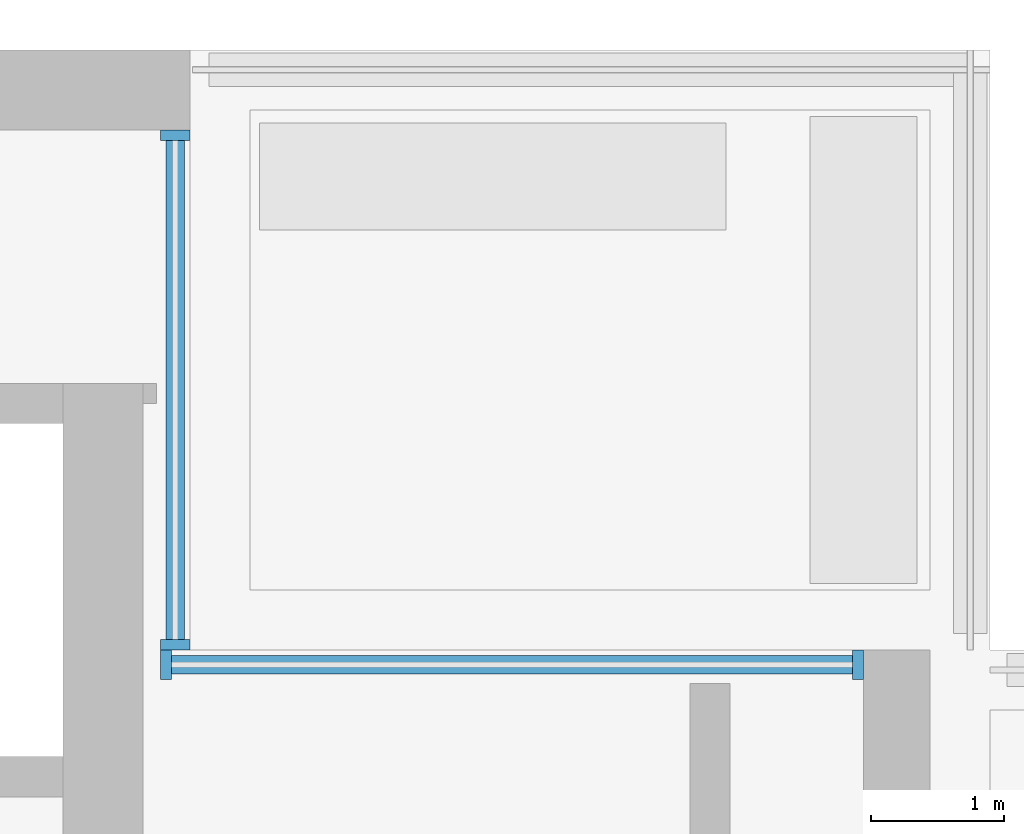
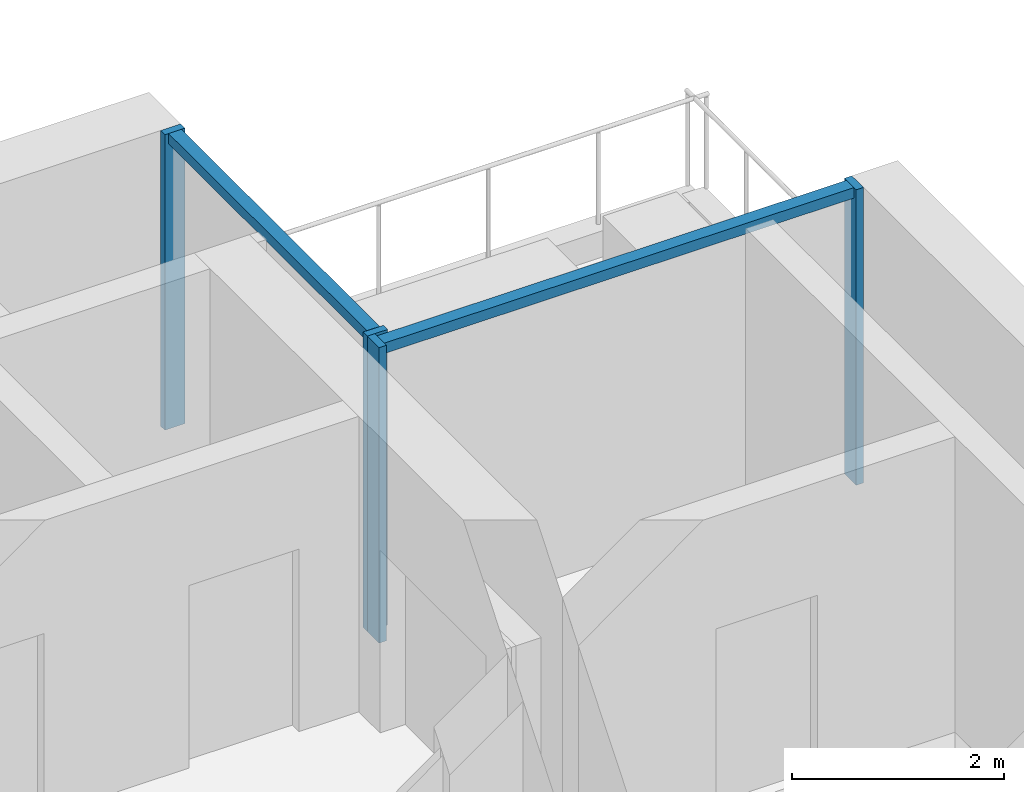
# One storey, part 5 of 16: 6 members, 2 elements without a shape of their own.
"""IFC4 building model written with IfcOpenShell, lengths in metres."""

import ifcopenshell
import ifcopenshell.guid

model = None  # the IFC model being written
_history = None  # IfcOwnerHistory: only IFC2X3 demands one
_inside = {}  # id of a spatial element -> (the spatial element, [elements in it])
_under = {}  # id of a project, library or spatial element -> (it, [spatial elements below it])
_declared = {}  # id of a project -> (the project, [libraries it declares])
_typed = {}  # id of a type object -> (the type object, [elements of that type])
_made_of = {}  # id of a material, layer set ... -> (it, [elements and type objects made of it])


def new_model(schema):
    """Start an empty IFC model of exactly this schema.

    Asked for "IFC4X3", IfcOpenShell would pick the latest addendum, in which some entities
    have other attributes; the version numbers below select the first issue.
    IFC2X3 requires an IfcOwnerHistory on every rooted entity: one is made here for all.
    """
    global model, _history
    if schema == "IFC4X3":
        model = ifcopenshell.file(schema_version=(4, 3, 0, 0))
    else:
        model = ifcopenshell.file(schema=schema)
    _inside.clear()
    _under.clear()
    _declared.clear()
    _typed.clear()
    _made_of.clear()
    _history = None
    if model.schema == "IFC2X3":
        org = make("IfcOrganization", Name="unknown")
        user = make(
            "IfcPersonAndOrganization",
            ThePerson=make("IfcPerson", FamilyName="unknown"),
            TheOrganization=org,
        )
        app = make(
            "IfcApplication",
            ApplicationDeveloper=org,
            Version="unknown",
            ApplicationFullName="unknown",
            ApplicationIdentifier="unknown",
        )
        _history = make(
            "IfcOwnerHistory",
            OwningUser=user,
            OwningApplication=app,
            ChangeAction="ADDED",
            CreationDate=0,
        )
    return model


def make(cls, **values):
    """One entity of the class cls with the attributes given. An attribute that is None is left unset."""
    return model.create_entity(
        cls, **{name: value for name, value in values.items() if value is not None}
    )


def rooted(cls, **values):
    """An entity with a GlobalId (a new one), such as an element, a storey or a relation."""
    return make(cls, GlobalId=ifcopenshell.guid.new(), OwnerHistory=_history, **values)


def si_unit(unit_type, name, prefix=None):
    """IfcSIUnit, for example si_unit("LENGTHUNIT", "METRE", prefix="MILLI")."""
    return make("IfcSIUnit", UnitType=unit_type, Prefix=prefix, Name=name)


def assignment(units):
    """IfcUnitAssignment: the units of a project."""
    return None if units is None else make("IfcUnitAssignment", Units=units)


def point(xyz):
    """IfcCartesianPoint."""
    return None if xyz is None else make("IfcCartesianPoint", Coordinates=xyz)


def direction(xyz):
    """IfcDirection."""
    return None if xyz is None else make("IfcDirection", DirectionRatios=xyz)


def frame(location, z_axis=None, x_axis=None):
    """IfcAxis2Placement3D, a coordinate frame: its origin and axes. An axis left out is left unset."""
    return make(
        "IfcAxis2Placement3D",
        Location=point(location),
        Axis=direction(z_axis),
        RefDirection=direction(x_axis),
    )


def frame_2d(location, x_axis=None):
    """IfcAxis2Placement2D, a coordinate frame in the plane: its origin and x axis."""
    return make(
        "IfcAxis2Placement2D", Location=point(location), RefDirection=direction(x_axis)
    )


def origin():
    """The frame at (0, 0, 0) with its axes left unset."""
    return frame((0.0, 0.0, 0.0))


def origin_2d():
    """The frame at (0, 0) in the plane with its x axis left unset."""
    return frame_2d((0.0, 0.0))


def place(relative_to, where):
    """IfcLocalPlacement: puts the frame where relative to a parent placement (None: the world)."""
    return make(
        "IfcLocalPlacement", PlacementRelTo=relative_to, RelativePlacement=where
    )


def context(
    kind, dimensions, precision=None, world=None, true_north=None, identifier=None
):
    """IfcGeometricRepresentationContext, for example the 3D "Model" context."""
    return make(
        "IfcGeometricRepresentationContext",
        ContextIdentifier=identifier,
        ContextType=kind,
        CoordinateSpaceDimension=dimensions,
        Precision=precision,
        WorldCoordinateSystem=world,
        TrueNorth=true_north,
    )


def subcontext(parent, identifier, kind, view, scale=None):
    """IfcGeometricRepresentationSubContext, for example "Body" below "Model"."""
    return make(
        "IfcGeometricRepresentationSubContext",
        ContextIdentifier=identifier,
        ContextType=kind,
        ParentContext=parent,
        TargetScale=scale,
        TargetView=view,
    )


def project(units=None, contexts=None):
    """IfcProject with its units and contexts."""
    return rooted(
        "IfcProject",
        Name="project",
        RepresentationContexts=contexts,
        UnitsInContext=assignment(units),
    )


def spatial(cls, under=None, at=None, **own):
    """A site, building, storey or space (cls), placed at a placement, below another one or the project."""
    s = rooted(cls, ObjectPlacement=at, **own)
    if under is not None:
        _under.setdefault(under.id(), (under, []))[1].append(s)
    return s


def profile(cls, at=None, kind="AREA", **sizes):
    """A parametric profile (cls). Its sizes go by their IFC names, for example OverallWidth=200.0."""
    return make(cls, ProfileType=kind, Position=at, **sizes)


def rectangle(**sizes):
    """IfcRectangleProfileDef."""
    return profile("IfcRectangleProfileDef", **sizes)


def extrude(swept, where, along, depth):
    """IfcExtrudedAreaSolid: the profile swept, set in the frame where, extruded along a direction by depth."""
    return make(
        "IfcExtrudedAreaSolid",
        SweptArea=swept,
        Position=where,
        ExtrudedDirection=direction(along),
        Depth=depth,
    )


def shape(context_of_items, identifier, shape_type, items):
    """IfcShapeRepresentation: the items that make up one representation, for example the "Body"."""
    return make(
        "IfcShapeRepresentation",
        ContextOfItems=context_of_items,
        RepresentationIdentifier=identifier,
        RepresentationType=shape_type,
        Items=items,
    )


def material(Name=None, Category=None):
    """IfcMaterial."""
    return make("IfcMaterial", Name=Name, Category=Category)


def material_profile(
    of_material, cross_section, Name=None, Category=None, Priority=None
):
    """IfcMaterialProfile: a cross section and its material."""
    return make(
        "IfcMaterialProfile",
        Name=Name,
        Material=of_material,
        Profile=cross_section,
        Priority=Priority,
        Category=Category,
    )


def profile_set(profiles, Name=None, composite=None):
    """IfcMaterialProfileSet."""
    return make(
        "IfcMaterialProfileSet",
        Name=Name,
        MaterialProfiles=profiles,
        CompositeProfile=composite,
    )


def made_of(thing, what):
    """Note that an element or type object is made of a material, layer set ...; save() writes the relation."""
    if what is not None:
        _made_of.setdefault(what.id(), (what, []))[1].append(thing)
    return thing


def type_object(cls, material=None, **own):
    """A type object (cls), such as IfcWallType, which elements share."""
    return made_of(rooted(cls, **own), material)


def element(
    cls,
    number,
    at=None,
    inside=None,
    cuts=None,
    type_object=None,
    material=None,
    context=None,
    identifier="Body",
    shape_type=None,
    held_by="IfcProductDefinitionShape",
    body=None,
    shapes=None,
    **own,
):
    """One element of the class cls, such as IfcWall. Its Tag is "e" and its number.

    at: its placement. inside: the storey or other place that contains it. cuts: it is an
    opening in that element (IfcRelVoidsElement). A single representation is given by context,
    identifier, shape_type and body (its items); several are given by shapes. held_by: the class
    of the entity that holds the representations. save() writes the other relations.
    """
    e = rooted(cls, Tag="e%d" % number, ObjectPlacement=at, **own)
    if body is not None:
        shapes = [shape(context, identifier, shape_type, body)]
    if shapes is not None:
        e.Representation = make(held_by, Representations=shapes)
    if inside is not None:
        _inside.setdefault(inside.id(), (inside, []))[1].append(e)
    if cuts is not None:
        rooted(
            "IfcRelVoidsElement", RelatingBuildingElement=cuts, RelatedOpeningElement=e
        )
    if type_object is not None:
        _typed.setdefault(type_object.id(), (type_object, []))[1].append(e)
    return made_of(e, material)


def aggregate(whole, parts):
    """IfcRelAggregates: a whole, such as a stair, and the parts it consists of."""
    return rooted("IfcRelAggregates", RelatingObject=whole, RelatedObjects=parts)


def save(model, path):
    """Write the relations noted so far, then the file.

    IfcRelAggregates (storeys below a building ...), IfcRelContainedInSpatialStructure (elements
    in a storey), IfcRelDefinesByType, IfcRelAssociatesMaterial and IfcRelDeclares: one each for
    every whole, place, type object, material and project.
    """
    for whole, parts in _under.values():
        aggregate(whole, parts)
    for where, things in _inside.values():
        rooted(
            "IfcRelContainedInSpatialStructure",
            RelatedElements=things,
            RelatingStructure=where,
        )
    for kind, things in _typed.values():
        rooted("IfcRelDefinesByType", RelatedObjects=things, RelatingType=kind)
    for what, things in _made_of.values():
        rooted("IfcRelAssociatesMaterial", RelatedObjects=things, RelatingMaterial=what)
    for by, libraries in _declared.values():
        rooted("IfcRelDeclares", RelatingContext=by, RelatedDefinitions=libraries)
    model.write(path)


model = new_model("IFC4")

# Units and contexts
model_context = context("Model", 3, precision=1e-05, world=origin(), true_north=direction((0.0, 1.0)))
body_context = subcontext(model_context, "Body", "Model", "MODEL_VIEW")
ifc_project = project(units=[si_unit("LENGTHUNIT", "METRE"), si_unit("AREAUNIT", "SQUARE_METRE"), si_unit("VOLUMEUNIT", "CUBIC_METRE"), si_unit("PLANEANGLEUNIT", "RADIAN"), si_unit("MASSUNIT", "GRAM", prefix="KILO")], contexts=[model_context])

# Site, building, storey
site_placement = place(None, origin())
site = spatial("IfcSite", under=ifc_project, at=site_placement, CompositionType="ELEMENT")
building_placement = place(site_placement, origin())
building = spatial("IfcBuilding", under=site, at=building_placement, Name="Calvaro Tower", CompositionType="ELEMENT")
storey_placement = place(building_placement, frame((0.0, 0.0, 231.75)))
storey = spatial("IfcBuildingStorey", under=building, at=storey_placement, Name="L58", CompositionType="ELEMENT", Elevation=231.75)

# Curtain wall, members
ifc_material_1 = material(Name="Anodised aluminium", Category="aluminium")
curtain_wall_type = type_object("IfcCurtainWallType", Name="Executive curtain wall", PredefinedType="NOTDEFINED", material=ifc_material_1)
curtain_wall_1_placement = place(storey_placement, origin())
curtain_wall_1 = element("IfcCurtainWall", 1, at=curtain_wall_1_placement, inside=storey, type_object=curtain_wall_type, Name="CW4 corner curtain wall", PredefinedType="NOTDEFINED")
ifc_material_2 = material(Name="Anodised aluminium", Category="aluminium")
ifc_material_profile_1 = material_profile(ifc_material_2, rectangle(XDim=0.219970703125, YDim=0.080078125, at=origin_2d()), Name="Mullion S4 80 x 220")
ifc_profile_set_1 = profile_set([ifc_material_profile_1], Name="Anodised aluminium")
member_type_1 = type_object("IfcMemberType", Name="Mullion S4 80 x 220", PredefinedType="MULLION", material=ifc_profile_set_1)
member_1_placement = place(storey_placement, frame((60.340087890625, 41.5400390625, 0.0), z_axis=(0.0, 0.0, 1.0), x_axis=(-1.0, 0.0, 0.0)))
member_1 = element("IfcMember", 2, at=member_1_placement, type_object=member_type_1, Name="CW4 mullion 1", PredefinedType="MULLION", context=body_context, shape_type="SweptSolid", body=[
    extrude(rectangle(XDim=0.219970703125, YDim=0.080078125, at=origin_2d()), origin(), (0.0, 0.0, 1.0), 3.39990234375),
])
member_2_placement = place(storey_placement, frame((60.340087890625, 45.360107421875, 0.0), z_axis=(0.0, 0.0, 1.0), x_axis=(-1.0, 0.0, 0.0)))
member_2 = element("IfcMember", 3, at=member_2_placement, type_object=member_type_1, Name="CW4 mullion 2", PredefinedType="MULLION", context=body_context, shape_type="SweptSolid", body=[
    extrude(rectangle(XDim=0.219970703125, YDim=0.080078125, at=origin_2d()), origin(), (0.0, 0.0, 1.0), 3.39990234375),
])

curtain_wall_2_placement = place(storey_placement, origin())
curtain_wall_2 = element("IfcCurtainWall", 4, at=curtain_wall_2_placement, inside=storey, type_object=curtain_wall_type, Name="CW4 corner curtain wall", PredefinedType="NOTDEFINED")
member_3_placement = place(storey_placement, frame((60.27001953125, 41.389892578125, 0.0), z_axis=(0.0, 0.0, 1.0), x_axis=(0.0, 1.0, 0.0)))
member_3 = element("IfcMember", 5, at=member_3_placement, type_object=member_type_1, Name="CW4 mullion 1", PredefinedType="MULLION", context=body_context, shape_type="SweptSolid", body=[
    extrude(rectangle(XDim=0.219970703125, YDim=0.080078125, at=origin_2d()), origin(), (0.0, 0.0, 1.0), 3.39990234375),
])
member_4_placement = place(storey_placement, frame((65.4599609375, 41.389892578125, 0.0), z_axis=(0.0, 0.0, 1.0), x_axis=(0.0, 1.0, 0.0)))
member_4 = element("IfcMember", 6, at=member_4_placement, type_object=member_type_1, Name="CW4 mullion 2", PredefinedType="MULLION", context=body_context, shape_type="SweptSolid", body=[
    extrude(rectangle(XDim=0.219970703125, YDim=0.080078125, at=origin_2d()), origin(), (0.0, 0.0, 1.0), 3.39990234375),
])

# Member
ifc_material_3 = material(Name="Anodised aluminium", Category="aluminium")
ifc_material_profile_2 = material_profile(ifc_material_3, rectangle(XDim=0.139892578125, YDim=0.1201171875, at=origin_2d()), Name="Transom S4 120 x 140")
ifc_profile_set_2 = profile_set([ifc_material_profile_2], Name="Anodised aluminium")
member_type_2 = type_object("IfcMemberType", Name="Transom S4 120 x 140", PredefinedType="USERDEFINED", material=ifc_profile_set_2)
member_5_placement = place(storey_placement, frame((60.340087890625, 41.580078125, 3.340087890625), z_axis=(0.0, 1.0, 0.0), x_axis=(-1.0, 0.0, 0.0)))
member_5 = element("IfcMember", 7, at=member_5_placement, type_object=member_type_2, Name="CW4 transom 1.1", ObjectType="TRANSOM", PredefinedType="USERDEFINED", context=body_context, shape_type="SweptSolid", body=[
    extrude(rectangle(XDim=0.139892578125, YDim=0.1201171875, at=origin_2d()), origin(), (0.0, 0.0, 1.0), 3.739990234375),
])

aggregate(curtain_wall_1, [member_1, member_2, member_5])

member_6_placement = place(storey_placement, frame((60.31005859375, 41.389892578125, 3.340087890625), z_axis=(1.0, 0.0, 0.0), x_axis=(0.0, 1.0, 0.0)))
member_6 = element("IfcMember", 8, at=member_6_placement, type_object=member_type_2, Name="CW4 transom 1.1", ObjectType="TRANSOM", PredefinedType="USERDEFINED", context=body_context, shape_type="SweptSolid", body=[
    extrude(rectangle(XDim=0.139892578125, YDim=0.1201171875, at=origin_2d()), origin(), (0.0, 0.0, 1.0), 5.10986328125),
])

aggregate(curtain_wall_2, [member_3, member_4, member_6])

save(model, "model.ifc")
